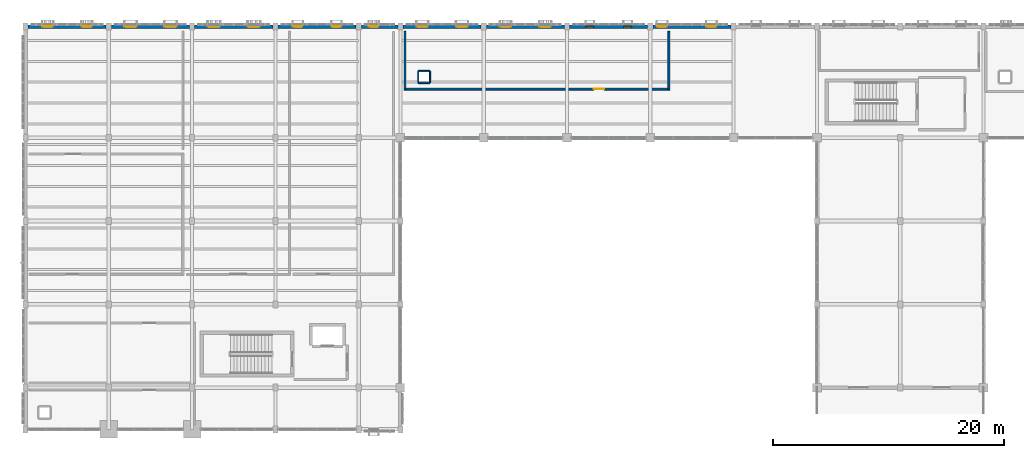
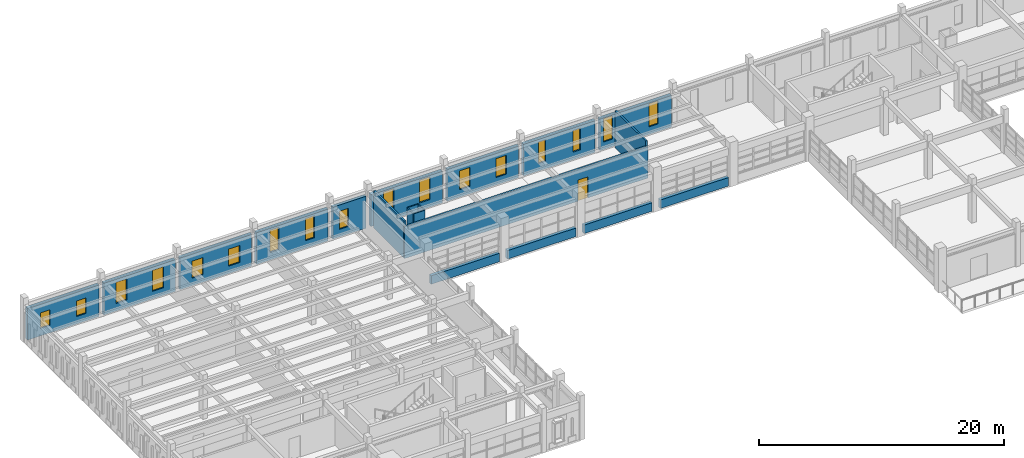
# One storey, part 45 of 69: 20 walls, 17 windows, 1 door, 18 openings.
"""IFC4 building model written with IfcOpenShell, lengths in metres."""

from ifc_helpers import new_model, si_unit, direction, frame, frame_2d, origin, place, context, subcontext, project, spatial, rectangle, extrude, material, layer, layer_set, type_object, element, fill, save


model = new_model("IFC4")

# Units and contexts
model_context = context("Model", 3, precision=1e-05, world=origin(), true_north=direction((0.0, 1.0)))
body_context = subcontext(model_context, "Body", "Model", "MODEL_VIEW")
ifc_project = project(units=[si_unit("LENGTHUNIT", "METRE"), si_unit("AREAUNIT", "SQUARE_METRE"), si_unit("VOLUMEUNIT", "CUBIC_METRE"), si_unit("PLANEANGLEUNIT", "RADIAN"), si_unit("MASSUNIT", "GRAM", prefix="KILO")], contexts=[model_context])

# Site, building, storey
site_placement = place(None, origin())
site = spatial("IfcSite", under=ifc_project, at=site_placement, CompositionType="ELEMENT")
building_placement = place(site_placement, origin())
building = spatial("IfcBuilding", under=site, at=building_placement, Name="Nzembalo Square Collegiate School", CompositionType="ELEMENT")
storey_placement = place(building_placement, frame((0.0, 0.0, 5.10009765625)))
storey = spatial("IfcBuildingStorey", under=building, at=storey_placement, Name="L01", CompositionType="ELEMENT", Elevation=5.10009765625)

# Wall, openings, windows
ifc_material_1 = material(Name="Concrete C35/45", Category="concrete")
ifc_layer_1 = layer(ifc_material_1, 0.320068359375, Name="Concrete C35/45")
ifc_layer_set_1 = layer_set([ifc_layer_1], Name="Concrete C35/45")
wall_type_1 = type_object("IfcWallType", Name="W03", PredefinedType="SOLIDWALL", material=ifc_layer_set_1)
wall_1_placement = place(storey_placement, frame((15.826904296875, 114.0, 0.0), z_axis=(0.0, 0.0, 1.0), x_axis=(1.0, 0.0, 0.0)))
wall_1 = element("IfcWall", 1, at=wall_1_placement, inside=storey, type_object=wall_type_1, Name="Exterior wall W03 L01", PredefinedType="SOLIDWALL", context=body_context, shape_type="SweptSolid", body=[
    extrude(rectangle(XDim=6.74609375, YDim=0.320068359375, at=frame_2d((3.373046875, 0.0))), origin(), (0.0, 0.0, 1.0), 3.183837890625),
])
opening_1_placement = place(wall_1_placement, frame((1.118896484375, 0.0, 0.75)))
opening_1 = element("IfcOpeningElement", 2, at=opening_1_placement, cuts=wall_1, Name="Opening WN-L01-233", PredefinedType="OPENING", context=body_context, shape_type="SweptSolid", body=[
    extrude(rectangle(XDim=1.050048828125, YDim=2.10009765625, at=frame_2d((0.52490234375, 1.050048828125))), frame((0.0, 0.169921875, 0.0), z_axis=(0.0, -1.0, 0.0), x_axis=(1.0, 0.0, 0.0)), (0.0, 0.0, 1.0), 0.340087890625),
])
opening_2_placement = place(wall_1_placement, frame((4.576904296875, 0.0, 0.75)))
opening_2 = element("IfcOpeningElement", 3, at=opening_2_placement, cuts=wall_1, Name="Opening WN-L01-234", PredefinedType="OPENING", context=body_context, shape_type="SweptSolid", body=[
    extrude(rectangle(XDim=1.050048828125, YDim=2.10009765625, at=frame_2d((0.52490234375, 1.050048828125))), frame((0.0, 0.169921875, 0.0), z_axis=(0.0, -1.0, 0.0), x_axis=(1.0, 0.0, 0.0)), (0.0, 0.0, 1.0), 0.340087890625),
])
ifc_material_2 = material(Name="Powder-coated aluminium and low-E double glazing", Category="aluminium")
window_type_1 = type_object("IfcWindowType", Name="WN12", PartitioningType="SINGLE_PANEL", PredefinedType="WINDOW", material=ifc_material_2)
window_1_placement = place(opening_1_placement, origin())
window_1 = element("IfcWindow", 4, at=window_1_placement, inside=storey, type_object=window_type_1, Name="Lancet window WN-L01-233", OverallHeight=2.10009765625, OverallWidth=1.050048828125, PartitioningType="SINGLE_PANEL", PredefinedType="WINDOW", context=body_context, shape_type="SweptSolid", body=[
    extrude(rectangle(XDim=1.050048828125, YDim=2.10009765625, at=frame_2d((0.52490234375, 1.050048828125))), frame((0.0, 0.030029296875, 0.0), z_axis=(0.0, -1.0, 0.0), x_axis=(1.0, 0.0, 0.0)), (0.0, 0.0, 1.0), 0.06005859375),
])
fill(opening_1, window_1)
window_2_placement = place(opening_2_placement, origin())
window_2 = element("IfcWindow", 5, at=window_2_placement, inside=storey, type_object=window_type_1, Name="Lancet window WN-L01-234", OverallHeight=2.10009765625, OverallWidth=1.050048828125, PartitioningType="SINGLE_PANEL", PredefinedType="WINDOW", context=body_context, shape_type="SweptSolid", body=[
    extrude(rectangle(XDim=1.050048828125, YDim=2.10009765625, at=frame_2d((0.52490234375, 1.050048828125))), frame((0.0, 0.030029296875, 0.0), z_axis=(0.0, -1.0, 0.0), x_axis=(1.0, 0.0, 0.0)), (0.0, 0.0, 1.0), 0.06005859375),
])
fill(opening_2, window_2)

wall_2_placement = place(storey_placement, frame((30.22705078125, 114.0, 0.0), z_axis=(0.0, 0.0, 1.0), x_axis=(1.0, 0.0, 0.0)))
wall_2 = element("IfcWall", 6, at=wall_2_placement, inside=storey, type_object=wall_type_1, Name="Exterior wall W03 L01", PredefinedType="SOLIDWALL", context=body_context, shape_type="SweptSolid", body=[
    extrude(rectangle(XDim=6.745849609375, YDim=0.320068359375, at=frame_2d((3.373046875, 0.0))), origin(), (0.0, 0.0, 1.0), 3.183837890625),
])
opening_3_placement = place(wall_2_placement, frame((1.29150390625, 0.0, 0.75)))
opening_3 = element("IfcOpeningElement", 7, at=opening_3_placement, cuts=wall_2, Name="Opening WN-L01-258", PredefinedType="OPENING", context=body_context, shape_type="SweptSolid", body=[
    extrude(rectangle(XDim=0.820068359375, YDim=2.219970703125, at=frame_2d((0.41015625, 1.10986328125))), frame((0.0, 0.169921875, 0.0), z_axis=(0.0, -1.0, 0.0), x_axis=(1.0, 0.0, 0.0)), (0.0, 0.0, 1.0), 0.340087890625),
])
opening_4_placement = place(wall_2_placement, frame((4.634521484375, 0.0, 0.75)))
opening_4 = element("IfcOpeningElement", 8, at=opening_4_placement, cuts=wall_2, Name="Opening WN-L01-259", PredefinedType="OPENING", context=body_context, shape_type="SweptSolid", body=[
    extrude(rectangle(XDim=0.820068359375, YDim=2.219970703125, at=frame_2d((0.41015625, 1.10986328125))), frame((0.0, 0.169921875, 0.0), z_axis=(0.0, -1.0, 0.0), x_axis=(1.0, 0.0, 0.0)), (0.0, 0.0, 1.0), 0.340087890625),
])
ifc_material_3 = material(Name="Powder-coated aluminium and low-E double glazing", Category="aluminium")
window_type_2 = type_object("IfcWindowType", Name="WN37", PartitioningType="SINGLE_PANEL", PredefinedType="WINDOW", material=ifc_material_3)
window_3_placement = place(opening_3_placement, origin())
window_3 = element("IfcWindow", 9, at=window_3_placement, inside=storey, type_object=window_type_2, Name="Lancet window WN-L01-258", OverallHeight=2.219970703125, OverallWidth=0.820068359375, PartitioningType="SINGLE_PANEL", PredefinedType="WINDOW", context=body_context, shape_type="SweptSolid", body=[
    extrude(rectangle(XDim=0.820068359375, YDim=2.219970703125, at=frame_2d((0.41015625, 1.10986328125))), frame((0.0, 0.030029296875, 0.0), z_axis=(0.0, -1.0, 0.0), x_axis=(1.0, 0.0, 0.0)), (0.0, 0.0, 1.0), 0.06005859375),
])
fill(opening_3, window_3)
window_4_placement = place(opening_4_placement, origin())
window_4 = element("IfcWindow", 10, at=window_4_placement, inside=storey, type_object=window_type_2, Name="Lancet window WN-L01-259", OverallHeight=2.219970703125, OverallWidth=0.820068359375, PartitioningType="SINGLE_PANEL", PredefinedType="WINDOW", context=body_context, shape_type="SweptSolid", body=[
    extrude(rectangle(XDim=0.820068359375, YDim=2.219970703125, at=frame_2d((0.41015625, 1.10986328125))), frame((0.0, 0.030029296875, 0.0), z_axis=(0.0, -1.0, 0.0), x_axis=(1.0, 0.0, 0.0)), (0.0, 0.0, 1.0), 0.06005859375),
])
fill(opening_4, window_4)

wall_3_placement = place(storey_placement, frame((41.027099609375, 114.0, 0.0), z_axis=(0.0, 0.0, 1.0), x_axis=(1.0, 0.0, 0.0)))
wall_3 = element("IfcWall", 11, at=wall_3_placement, inside=storey, type_object=wall_type_1, Name="Exterior wall W03 L01", PredefinedType="SOLIDWALL", context=body_context, shape_type="SweptSolid", body=[
    extrude(rectangle(XDim=6.745849609375, YDim=0.320068359375, at=frame_2d((3.373046875, 0.0))), origin(), (0.0, 0.0, 1.0), 3.183837890625),
])
opening_5_placement = place(wall_3_placement, frame((1.17138671875, 0.0, 0.75)))
opening_5 = element("IfcOpeningElement", 12, at=opening_5_placement, cuts=wall_3, Name="Opening WN-L01-261", PredefinedType="OPENING", context=body_context, shape_type="SweptSolid", body=[
    extrude(rectangle(XDim=0.97998046875, YDim=2.280029296875, at=frame_2d((0.489990234375, 1.14013671875))), frame((0.0, 0.169921875, 0.0), z_axis=(0.0, -1.0, 0.0), x_axis=(1.0, 0.0, 0.0)), (0.0, 0.0, 1.0), 0.340087890625),
])
opening_6_placement = place(wall_3_placement, frame((4.594482421875, 0.0, 0.75)))
opening_6 = element("IfcOpeningElement", 13, at=opening_6_placement, cuts=wall_3, Name="Opening WN-L01-262", PredefinedType="OPENING", context=body_context, shape_type="SweptSolid", body=[
    extrude(rectangle(XDim=0.97998046875, YDim=2.280029296875, at=frame_2d((0.489990234375, 1.14013671875))), frame((0.0, 0.169921875, 0.0), z_axis=(0.0, -1.0, 0.0), x_axis=(1.0, 0.0, 0.0)), (0.0, 0.0, 1.0), 0.340087890625),
])
ifc_material_4 = material(Name="Powder-coated aluminium and low-E double glazing", Category="aluminium")
window_type_3 = type_object("IfcWindowType", Name="WN40", PartitioningType="SINGLE_PANEL", PredefinedType="WINDOW", material=ifc_material_4)
window_5_placement = place(opening_5_placement, origin())
window_5 = element("IfcWindow", 14, at=window_5_placement, inside=storey, type_object=window_type_3, Name="Lancet window WN-L01-261", OverallHeight=2.280029296875, OverallWidth=0.97998046875, PartitioningType="SINGLE_PANEL", PredefinedType="WINDOW", context=body_context, shape_type="SweptSolid", body=[
    extrude(rectangle(XDim=0.97998046875, YDim=2.280029296875, at=frame_2d((0.489990234375, 1.14013671875))), frame((0.0, 0.030029296875, 0.0), z_axis=(0.0, -1.0, 0.0), x_axis=(1.0, 0.0, 0.0)), (0.0, 0.0, 1.0), 0.06005859375),
])
fill(opening_5, window_5)
window_6_placement = place(opening_6_placement, origin())
window_6 = element("IfcWindow", 15, at=window_6_placement, inside=storey, type_object=window_type_3, Name="Lancet window WN-L01-262", OverallHeight=2.280029296875, OverallWidth=0.97998046875, PartitioningType="SINGLE_PANEL", PredefinedType="WINDOW", context=body_context, shape_type="SweptSolid", body=[
    extrude(rectangle(XDim=0.97998046875, YDim=2.280029296875, at=frame_2d((0.489990234375, 1.14013671875))), frame((0.0, 0.030029296875, 0.0), z_axis=(0.0, -1.0, 0.0), x_axis=(1.0, 0.0, 0.0)), (0.0, 0.0, 1.0), 0.06005859375),
])
fill(opening_6, window_6)

wall_4_placement = place(storey_placement, frame((55.427001953125, 114.0, 0.0), z_axis=(0.0, 0.0, 1.0), x_axis=(1.0, 0.0, 0.0)))
wall_4 = element("IfcWall", 16, at=wall_4_placement, inside=storey, type_object=wall_type_1, Name="Exterior wall W03 L01", PredefinedType="SOLIDWALL", context=body_context, shape_type="SweptSolid", body=[
    extrude(rectangle(XDim=6.74609375, YDim=0.320068359375, at=frame_2d((3.373046875, 0.0))), origin(), (0.0, 0.0, 1.0), 3.183837890625),
])
opening_7_placement = place(wall_4_placement, frame((1.396484375, 0.0, 0.75)))
opening_7 = element("IfcOpeningElement", 17, at=opening_7_placement, cuts=wall_4, Name="Opening WN-L01-280", PredefinedType="OPENING", context=body_context, shape_type="SweptSolid", body=[
    extrude(rectangle(XDim=0.679931640625, YDim=2.159912109375, at=frame_2d((0.33984375, 1.080078125))), frame((0.0, 0.169921875, 0.0), z_axis=(0.0, -1.0, 0.0), x_axis=(1.0, 0.0, 0.0)), (0.0, 0.0, 1.0), 0.340087890625),
])
opening_8_placement = place(wall_4_placement, frame((4.66943359375, 0.0, 0.75)))
opening_8 = element("IfcOpeningElement", 18, at=opening_8_placement, cuts=wall_4, Name="Opening WN-L01-281", PredefinedType="OPENING", context=body_context, shape_type="SweptSolid", body=[
    extrude(rectangle(XDim=0.679931640625, YDim=2.159912109375, at=frame_2d((0.33984375, 1.080078125))), frame((0.0, 0.169921875, 0.0), z_axis=(0.0, -1.0, 0.0), x_axis=(1.0, 0.0, 0.0)), (0.0, 0.0, 1.0), 0.340087890625),
])
ifc_material_5 = material(Name="Powder-coated aluminium and low-E double glazing", Category="aluminium")
window_type_4 = type_object("IfcWindowType", Name="WN59", PartitioningType="SINGLE_PANEL", PredefinedType="WINDOW", material=ifc_material_5)
window_7_placement = place(opening_7_placement, origin())
window_7 = element("IfcWindow", 19, at=window_7_placement, inside=storey, type_object=window_type_4, Name="Lancet window WN-L01-280", OverallHeight=2.159912109375, OverallWidth=0.679931640625, PartitioningType="SINGLE_PANEL", PredefinedType="WINDOW", context=body_context, shape_type="SweptSolid", body=[
    extrude(rectangle(XDim=0.679931640625, YDim=2.159912109375, at=frame_2d((0.33984375, 1.080078125))), frame((0.0, 0.030029296875, 0.0), z_axis=(0.0, -1.0, 0.0), x_axis=(1.0, 0.0, 0.0)), (0.0, 0.0, 1.0), 0.06005859375),
])
fill(opening_7, window_7)
window_8_placement = place(opening_8_placement, origin())
window_8 = element("IfcWindow", 20, at=window_8_placement, inside=storey, type_object=window_type_4, Name="Lancet window WN-L01-281", OverallHeight=2.159912109375, OverallWidth=0.679931640625, PartitioningType="SINGLE_PANEL", PredefinedType="WINDOW", context=body_context, shape_type="SweptSolid", body=[
    extrude(rectangle(XDim=0.679931640625, YDim=2.159912109375, at=frame_2d((0.33984375, 1.080078125))), frame((0.0, 0.030029296875, 0.0), z_axis=(0.0, -1.0, 0.0), x_axis=(1.0, 0.0, 0.0)), (0.0, 0.0, 1.0), 0.06005859375),
])
fill(opening_8, window_8)

# Walls
wall_5_placement = place(storey_placement, frame((48.376953125, 104.39990234375, 0.0), z_axis=(0.0, 0.0, 1.0), x_axis=(1.0, 0.0, 0.0)))
element("IfcWall", 21, at=wall_5_placement, inside=storey, type_object=wall_type_1, Name="Spandrel wall W03 L01", PredefinedType="SOLIDWALL", context=body_context, shape_type="SweptSolid", body=[
    extrude(rectangle(XDim=6.446044921875, YDim=0.320068359375, at=frame_2d((3.22314453125, 0.0))), origin(), (0.0, 0.0, 1.0), 0.849853515625),
])
wall_6_placement = place(storey_placement, frame((62.777099609375, 104.39990234375, 0.0), z_axis=(0.0, 0.0, 1.0), x_axis=(1.0, 0.0, 0.0)))
element("IfcWall", 22, at=wall_6_placement, inside=storey, type_object=wall_type_1, Name="Spandrel wall W03 L01", PredefinedType="SOLIDWALL", context=body_context, shape_type="SweptSolid", body=[
    extrude(rectangle(XDim=6.44580078125, YDim=0.320068359375, at=frame_2d((3.222900390625, 0.0))), origin(), (0.0, 0.0, 1.0), 0.849853515625),
])

# Wall, openings, windows
ifc_material_6 = material(Name="Concrete C35/45", Category="concrete")
ifc_layer_2 = layer(ifc_material_6, 0.300048828125, Name="Concrete C35/45")
ifc_layer_set_2 = layer_set([ifc_layer_2], Name="Concrete C35/45")
wall_type_2 = type_object("IfcWallType", Name="W04", PredefinedType="SOLIDWALL", material=ifc_layer_set_2)
wall_7_placement = place(storey_placement, frame((8.626953125, 114.0, 0.0), z_axis=(0.0, 0.0, 1.0), x_axis=(1.0, 0.0, 0.0)))
wall_7 = element("IfcWall", 23, at=wall_7_placement, inside=storey, type_object=wall_type_2, Name="Exterior wall W04 L01", PredefinedType="SOLIDWALL", context=body_context, shape_type="SweptSolid", body=[
    extrude(rectangle(XDim=6.74609375, YDim=0.300048828125, at=frame_2d((3.373046875, 0.0))), origin(), (0.0, 0.0, 1.0), 3.183837890625),
])
opening_9_placement = place(wall_7_placement, frame((1.2314453125, 0.0, 0.75)))
opening_9 = element("IfcOpeningElement", 24, at=opening_9_placement, cuts=wall_7, Name="Opening WN-L01-231", PredefinedType="OPENING", context=body_context, shape_type="SweptSolid", body=[
    extrude(rectangle(XDim=0.89990234375, YDim=1.550048828125, at=frame_2d((0.449951171875, 0.77490234375))), frame((0.0, 0.16015625, 0.0), z_axis=(0.0, -1.0, 0.0), x_axis=(1.0, 0.0, 0.0)), (0.0, 0.0, 1.0), 0.320068359375),
])
opening_10_placement = place(wall_7_placement, frame((4.614501953125, 0.0, 0.75)))
opening_10 = element("IfcOpeningElement", 25, at=opening_10_placement, cuts=wall_7, Name="Opening WN-L01-232", PredefinedType="OPENING", context=body_context, shape_type="SweptSolid", body=[
    extrude(rectangle(XDim=0.89990234375, YDim=1.550048828125, at=frame_2d((0.449951171875, 0.77490234375))), frame((0.0, 0.16015625, 0.0), z_axis=(0.0, -1.0, 0.0), x_axis=(1.0, 0.0, 0.0)), (0.0, 0.0, 1.0), 0.320068359375),
])
ifc_material_7 = material(Name="Powder-coated aluminium and low-E double glazing", Category="aluminium")
window_type_5 = type_object("IfcWindowType", Name="WN10", PartitioningType="SINGLE_PANEL", PredefinedType="WINDOW", material=ifc_material_7)
window_9_placement = place(opening_9_placement, origin())
window_9 = element("IfcWindow", 26, at=window_9_placement, inside=storey, type_object=window_type_5, Name="Lancet window WN-L01-231", OverallHeight=1.550048828125, OverallWidth=0.89990234375, PartitioningType="SINGLE_PANEL", PredefinedType="WINDOW", context=body_context, shape_type="SweptSolid", body=[
    extrude(rectangle(XDim=0.89990234375, YDim=1.550048828125, at=frame_2d((0.449951171875, 0.77490234375))), frame((0.0, 0.030029296875, 0.0), z_axis=(0.0, -1.0, 0.0), x_axis=(1.0, 0.0, 0.0)), (0.0, 0.0, 1.0), 0.06005859375),
])
fill(opening_9, window_9)
window_10_placement = place(opening_10_placement, origin())
window_10 = element("IfcWindow", 27, at=window_10_placement, inside=storey, type_object=window_type_5, Name="Lancet window WN-L01-232", OverallHeight=1.550048828125, OverallWidth=0.89990234375, PartitioningType="SINGLE_PANEL", PredefinedType="WINDOW", context=body_context, shape_type="SweptSolid", body=[
    extrude(rectangle(XDim=0.89990234375, YDim=1.550048828125, at=frame_2d((0.449951171875, 0.77490234375))), frame((0.0, 0.030029296875, 0.0), z_axis=(0.0, -1.0, 0.0), x_axis=(1.0, 0.0, 0.0)), (0.0, 0.0, 1.0), 0.06005859375),
])
fill(opening_10, window_10)

wall_8_placement = place(storey_placement, frame((23.027099609375, 114.0, 0.0), z_axis=(0.0, 0.0, 1.0), x_axis=(1.0, 0.0, 0.0)))
wall_8 = element("IfcWall", 28, at=wall_8_placement, inside=storey, type_object=wall_type_2, Name="Exterior wall W04 L01", PredefinedType="SOLIDWALL", context=body_context, shape_type="SweptSolid", body=[
    extrude(rectangle(XDim=6.745849609375, YDim=0.300048828125, at=frame_2d((3.373046875, 0.0))), origin(), (0.0, 0.0, 1.0), 3.183837890625),
])
opening_11_placement = place(wall_8_placement, frame((1.118896484375, 0.0, 0.75)))
opening_11 = element("IfcOpeningElement", 29, at=opening_11_placement, cuts=wall_8, Name="Opening WN-L01-235", PredefinedType="OPENING", context=body_context, shape_type="SweptSolid", body=[
    extrude(rectangle(XDim=1.050048828125, YDim=1.699951171875, at=frame_2d((0.52490234375, 0.85009765625))), frame((0.0, 0.16015625, 0.0), z_axis=(0.0, -1.0, 0.0), x_axis=(1.0, 0.0, 0.0)), (0.0, 0.0, 1.0), 0.320068359375),
])
opening_12_placement = place(wall_8_placement, frame((4.576904296875, 0.0, 0.75)))
opening_12 = element("IfcOpeningElement", 30, at=opening_12_placement, cuts=wall_8, Name="Opening WN-L01-236", PredefinedType="OPENING", context=body_context, shape_type="SweptSolid", body=[
    extrude(rectangle(XDim=1.050048828125, YDim=1.699951171875, at=frame_2d((0.52490234375, 0.85009765625))), frame((0.0, 0.16015625, 0.0), z_axis=(0.0, -1.0, 0.0), x_axis=(1.0, 0.0, 0.0)), (0.0, 0.0, 1.0), 0.320068359375),
])
ifc_material_8 = material(Name="Powder-coated aluminium and low-E double glazing", Category="aluminium")
window_type_6 = type_object("IfcWindowType", Name="WN14", PartitioningType="SINGLE_PANEL", PredefinedType="WINDOW", material=ifc_material_8)
window_11_placement = place(opening_11_placement, origin())
window_11 = element("IfcWindow", 31, at=window_11_placement, inside=storey, type_object=window_type_6, Name="Lancet window WN-L01-235", OverallHeight=1.699951171875, OverallWidth=1.050048828125, PartitioningType="SINGLE_PANEL", PredefinedType="WINDOW", context=body_context, shape_type="SweptSolid", body=[
    extrude(rectangle(XDim=1.050048828125, YDim=1.699951171875, at=frame_2d((0.52490234375, 0.85009765625))), frame((0.0, 0.030029296875, 0.0), z_axis=(0.0, -1.0, 0.0), x_axis=(1.0, 0.0, 0.0)), (0.0, 0.0, 1.0), 0.06005859375),
])
fill(opening_11, window_11)
window_12_placement = place(opening_12_placement, origin())
window_12 = element("IfcWindow", 32, at=window_12_placement, inside=storey, type_object=window_type_6, Name="Lancet window WN-L01-236", OverallHeight=1.699951171875, OverallWidth=1.050048828125, PartitioningType="SINGLE_PANEL", PredefinedType="WINDOW", context=body_context, shape_type="SweptSolid", body=[
    extrude(rectangle(XDim=1.050048828125, YDim=1.699951171875, at=frame_2d((0.52490234375, 0.85009765625))), frame((0.0, 0.030029296875, 0.0), z_axis=(0.0, -1.0, 0.0), x_axis=(1.0, 0.0, 0.0)), (0.0, 0.0, 1.0), 0.06005859375),
])
fill(opening_12, window_12)

# Wall, opening, window
wall_9_placement = place(storey_placement, frame((37.427001953125, 114.0, 0.0), z_axis=(0.0, 0.0, 1.0), x_axis=(1.0, 0.0, 0.0)))
wall_9 = element("IfcWall", 33, at=wall_9_placement, inside=storey, type_object=wall_type_2, Name="Exterior wall W04 L01", PredefinedType="SOLIDWALL", context=body_context, shape_type="SweptSolid", body=[
    extrude(rectangle(XDim=3.14599609375, YDim=0.300048828125, at=frame_2d((1.572998046875, 0.0))), origin(), (0.0, 0.0, 1.0), 3.183837890625),
])
opening_13_placement = place(wall_9_placement, frame((0.648681640625, 0.0, 0.75)))
opening_13 = element("IfcOpeningElement", 34, at=opening_13_placement, cuts=wall_9, Name="Opening WN-L01-260", PredefinedType="OPENING", context=body_context, shape_type="SweptSolid", body=[
    extrude(rectangle(XDim=0.820068359375, YDim=1.820068359375, at=frame_2d((0.41015625, 0.91015625))), frame((0.0, 0.16015625, 0.0), z_axis=(0.0, -1.0, 0.0), x_axis=(1.0, 0.0, 0.0)), (0.0, 0.0, 1.0), 0.320068359375),
])
ifc_material_9 = material(Name="Powder-coated aluminium and low-E double glazing", Category="aluminium")
window_type_7 = type_object("IfcWindowType", Name="WN39", PartitioningType="SINGLE_PANEL", PredefinedType="WINDOW", material=ifc_material_9)
window_13_placement = place(opening_13_placement, origin())
window_13 = element("IfcWindow", 35, at=window_13_placement, inside=storey, type_object=window_type_7, Name="Lancet window WN-L01-260", OverallHeight=1.820068359375, OverallWidth=0.820068359375, PartitioningType="SINGLE_PANEL", PredefinedType="WINDOW", context=body_context, shape_type="SweptSolid", body=[
    extrude(rectangle(XDim=0.820068359375, YDim=1.820068359375, at=frame_2d((0.41015625, 0.91015625))), frame((0.0, 0.030029296875, 0.0), z_axis=(0.0, -1.0, 0.0), x_axis=(1.0, 0.0, 0.0)), (0.0, 0.0, 1.0), 0.06005859375),
])
fill(opening_13, window_13)

# Wall, openings, windows
wall_10_placement = place(storey_placement, frame((48.22705078125, 114.0, 0.0), z_axis=(0.0, 0.0, 1.0), x_axis=(1.0, 0.0, 0.0)))
wall_10 = element("IfcWall", 36, at=wall_10_placement, inside=storey, type_object=wall_type_2, Name="Exterior wall W04 L01", PredefinedType="SOLIDWALL", context=body_context, shape_type="SweptSolid", body=[
    extrude(rectangle(XDim=6.745849609375, YDim=0.300048828125, at=frame_2d((3.373046875, 0.0))), origin(), (0.0, 0.0, 1.0), 3.183837890625),
])
opening_14_placement = place(wall_10_placement, frame((1.17138671875, 0.0, 0.75)))
opening_14 = element("IfcOpeningElement", 37, at=opening_14_placement, cuts=wall_10, Name="Opening WN-L01-263", PredefinedType="OPENING", context=body_context, shape_type="SweptSolid", body=[
    extrude(rectangle(XDim=0.97998046875, YDim=1.8798828125, at=frame_2d((0.489990234375, 0.93994140625))), frame((0.0, 0.16015625, 0.0), z_axis=(0.0, -1.0, 0.0), x_axis=(1.0, 0.0, 0.0)), (0.0, 0.0, 1.0), 0.320068359375),
])
opening_15_placement = place(wall_10_placement, frame((4.594482421875, 0.0, 0.75)))
opening_15 = element("IfcOpeningElement", 38, at=opening_15_placement, cuts=wall_10, Name="Opening WN-L01-264", PredefinedType="OPENING", context=body_context, shape_type="SweptSolid", body=[
    extrude(rectangle(XDim=0.97998046875, YDim=1.8798828125, at=frame_2d((0.489990234375, 0.93994140625))), frame((0.0, 0.16015625, 0.0), z_axis=(0.0, -1.0, 0.0), x_axis=(1.0, 0.0, 0.0)), (0.0, 0.0, 1.0), 0.320068359375),
])
ifc_material_10 = material(Name="Powder-coated aluminium and low-E double glazing", Category="aluminium")
window_type_8 = type_object("IfcWindowType", Name="WN42", PartitioningType="SINGLE_PANEL", PredefinedType="WINDOW", material=ifc_material_10)
window_14_placement = place(opening_14_placement, origin())
window_14 = element("IfcWindow", 39, at=window_14_placement, inside=storey, type_object=window_type_8, Name="Lancet window WN-L01-263", OverallHeight=1.8798828125, OverallWidth=0.97998046875, PartitioningType="SINGLE_PANEL", PredefinedType="WINDOW", context=body_context, shape_type="SweptSolid", body=[
    extrude(rectangle(XDim=0.97998046875, YDim=1.8798828125, at=frame_2d((0.489990234375, 0.93994140625))), frame((0.0, 0.030029296875, 0.0), z_axis=(0.0, -1.0, 0.0), x_axis=(1.0, 0.0, 0.0)), (0.0, 0.0, 1.0), 0.06005859375),
])
fill(opening_14, window_14)
window_15_placement = place(opening_15_placement, origin())
window_15 = element("IfcWindow", 40, at=window_15_placement, inside=storey, type_object=window_type_8, Name="Lancet window WN-L01-264", OverallHeight=1.8798828125, OverallWidth=0.97998046875, PartitioningType="SINGLE_PANEL", PredefinedType="WINDOW", context=body_context, shape_type="SweptSolid", body=[
    extrude(rectangle(XDim=0.97998046875, YDim=1.8798828125, at=frame_2d((0.489990234375, 0.93994140625))), frame((0.0, 0.030029296875, 0.0), z_axis=(0.0, -1.0, 0.0), x_axis=(1.0, 0.0, 0.0)), (0.0, 0.0, 1.0), 0.06005859375),
])
fill(opening_15, window_15)

wall_11_placement = place(storey_placement, frame((62.626953125, 114.0, 0.0), z_axis=(0.0, 0.0, 1.0), x_axis=(1.0, 0.0, 0.0)))
wall_11 = element("IfcWall", 41, at=wall_11_placement, inside=storey, type_object=wall_type_2, Name="Exterior wall W04 L01", PredefinedType="SOLIDWALL", context=body_context, shape_type="SweptSolid", body=[
    extrude(rectangle(XDim=6.74609375, YDim=0.300048828125, at=frame_2d((3.373046875, 0.0))), origin(), (0.0, 0.0, 1.0), 3.183837890625),
])
opening_16_placement = place(wall_11_placement, frame((0.35302734375, 0.0, 0.75)))
opening_16 = element("IfcOpeningElement", 42, at=opening_16_placement, cuts=wall_11, Name="Opening WN-L01-282", PredefinedType="OPENING", context=body_context, shape_type="SweptSolid", body=[
    extrude(rectangle(XDim=0.860107421875, YDim=2.320068359375, at=frame_2d((0.43017578125, 1.16015625))), frame((0.0, 0.16015625, 0.0), z_axis=(0.0, -1.0, 0.0), x_axis=(1.0, 0.0, 0.0)), (0.0, 0.0, 1.0), 0.320068359375),
])
opening_17_placement = place(wall_11_placement, frame((4.62451171875, 0.0, 0.75)))
opening_17 = element("IfcOpeningElement", 43, at=opening_17_placement, cuts=wall_11, Name="Opening WN-L01-283", PredefinedType="OPENING", context=body_context, shape_type="SweptSolid", body=[
    extrude(rectangle(XDim=0.860107421875, YDim=2.320068359375, at=frame_2d((0.43017578125, 1.16015625))), frame((0.0, 0.16015625, 0.0), z_axis=(0.0, -1.0, 0.0), x_axis=(1.0, 0.0, 0.0)), (0.0, 0.0, 1.0), 0.320068359375),
])
ifc_material_11 = material(Name="Powder-coated aluminium and low-E double glazing", Category="aluminium")
window_type_9 = type_object("IfcWindowType", Name="WN61", PartitioningType="SINGLE_PANEL", PredefinedType="WINDOW", material=ifc_material_11)
window_16_placement = place(opening_16_placement, origin())
window_16 = element("IfcWindow", 44, at=window_16_placement, inside=storey, type_object=window_type_9, Name="Lancet window WN-L01-282", OverallHeight=2.320068359375, OverallWidth=0.860107421875, PartitioningType="SINGLE_PANEL", PredefinedType="WINDOW", context=body_context, shape_type="SweptSolid", body=[
    extrude(rectangle(XDim=0.860107421875, YDim=2.320068359375, at=frame_2d((0.43017578125, 1.16015625))), frame((0.0, 0.030029296875, 0.0), z_axis=(0.0, -1.0, 0.0), x_axis=(1.0, 0.0, 0.0)), (0.0, 0.0, 1.0), 0.06005859375),
])
fill(opening_16, window_16)
window_17_placement = place(opening_17_placement, origin())
window_17 = element("IfcWindow", 45, at=window_17_placement, inside=storey, type_object=window_type_9, Name="Lancet window WN-L01-283", OverallHeight=2.320068359375, OverallWidth=0.860107421875, PartitioningType="SINGLE_PANEL", PredefinedType="WINDOW", context=body_context, shape_type="SweptSolid", body=[
    extrude(rectangle(XDim=0.860107421875, YDim=2.320068359375, at=frame_2d((0.43017578125, 1.16015625))), frame((0.0, 0.030029296875, 0.0), z_axis=(0.0, -1.0, 0.0), x_axis=(1.0, 0.0, 0.0)), (0.0, 0.0, 1.0), 0.06005859375),
])
fill(opening_17, window_17)

# Walls
for number, where, z_axis, x_axis, name in (
    (46, (41.177001953125, 104.39990234375, 0.0), (0.0, 0.0, 1.0), (1.0, 0.0, 0.0), "Spandrel wall W04 L01"),
    (47, (55.576904296875, 104.39990234375, 0.0), (0.0, 0.0, 1.0), (1.0, 0.0, 0.0), "Spandrel wall W04 L01"),
):
    element("IfcWall", number, at=place(storey_placement, frame(where, z_axis=z_axis, x_axis=x_axis)), inside=storey, type_object=wall_type_2, Name=name, PredefinedType="SOLIDWALL", context=body_context, shape_type="SweptSolid", body=[
        extrude(rectangle(XDim=6.446044921875, YDim=0.300048828125, at=frame_2d((3.22314453125, 0.0))), origin(), (0.0, 0.0, 1.0), 0.849853515625),
    ])

# Wall, opening, door
ifc_material_12 = material(Name="Moisture-resistant acoustic stud")
ifc_layer_3 = layer(ifc_material_12, 0.1650390625, Name="Moisture-resistant acoustic stud")
ifc_layer_set_3 = layer_set([ifc_layer_3], Name="Moisture-resistant acoustic stud")
wall_type_3 = type_object("IfcWallType", Name="W15", PredefinedType="PARTITIONING", material=ifc_layer_set_3)
wall_12_placement = place(storey_placement, frame((41.117431640625, 108.60009765625, 0.0), z_axis=(0.0, 0.0, 1.0), x_axis=(1.0, 0.0, 0.0)))
wall_12 = element("IfcWall", 48, at=wall_12_placement, inside=storey, type_object=wall_type_3, Name="Interior partition W15 L01-028-S", PredefinedType="PARTITIONING", context=body_context, shape_type="SweptSolid", body=[
    extrude(rectangle(XDim=22.965087890625, YDim=0.1650390625, at=frame_2d((11.482421875, 0.0))), origin(), (0.0, 0.0, 1.0), 3.183837890625),
])
opening_18_placement = place(wall_12_placement, frame((16.37744140625, 0.0, 0.0)))
opening_18 = element("IfcOpeningElement", 49, at=opening_18_placement, cuts=wall_12, Name="Opening D-L01-042", PredefinedType="OPENING", context=body_context, shape_type="SweptSolid", body=[
    extrude(rectangle(XDim=0.93994140625, YDim=2.10009765625, at=frame_2d((0.469970703125, 1.050048828125))), frame((0.0, 0.092529296875, 0.0), z_axis=(0.0, -1.0, 0.0), x_axis=(1.0, 0.0, 0.0)), (0.0, 0.0, 1.0), 0.18505859375),
])
ifc_material_13 = material(Name="Hardwood office door", Category="wood")
door_type = type_object("IfcDoorType", Name="D07", OperationType="NOTDEFINED", PredefinedType="DOOR", material=ifc_material_13)
door_placement = place(opening_18_placement, origin())
door = element("IfcDoor", 50, at=door_placement, inside=storey, type_object=door_type, Name="Interior door D-L01-042 (Student Leadership Seminar Suite)", OperationType="SINGLE_SWING_RIGHT", OverallHeight=2.10009765625, OverallWidth=0.93994140625, PredefinedType="DOOR", context=body_context, shape_type="SweptSolid", body=[
    extrude(rectangle(XDim=0.93994140625, YDim=2.10009765625, at=frame_2d((0.469970703125, 1.050048828125))), frame((0.0, 0.02490234375, 0.0), z_axis=(0.0, -1.0, 0.0), x_axis=(1.0, 0.0, 0.0)), (0.0, 0.0, 1.0), 0.050048828125),
])
fill(opening_18, door)

# Walls
for number, where, z_axis, x_axis, name in (
    (51, (41.199951171875, 108.60009765625, 0.0), (0.0, 0.0, 1.0), (0.0, 1.0, 0.0), "Interior partition W15 L01-028-W"),
    (52, (64.0, 108.60009765625, 0.0), (0.0, 0.0, 1.0), (0.0, 1.0, 0.0), "Interior partition W15 L01-028-E"),
):
    element("IfcWall", number, at=place(storey_placement, frame(where, z_axis=z_axis, x_axis=x_axis)), inside=storey, type_object=wall_type_3, Name=name, PredefinedType="PARTITIONING", context=body_context, shape_type="SweptSolid", body=[
        extrude(rectangle(XDim=5.0, YDim=0.1650390625, at=frame_2d((2.5, 0.0))), origin(), (0.0, 0.0, 1.0), 3.69384765625),
    ])
ifc_material_14 = material(Name="Fire-rated shaftwall stud")
ifc_layer_4 = layer(ifc_material_14, 0.1201171875, Name="Fire-rated shaftwall stud")
ifc_layer_set_4 = layer_set([ifc_layer_4], Name="Fire-rated shaftwall stud")
wall_type_4 = type_object("IfcWallType", Name="W23", PredefinedType="PARTITIONING", material=ifc_layer_set_4)
for number, where, z_axis, x_axis, name in (
    (53, (42.340087890625, 109.139892578125, 0.0), (0.0, 0.0, 1.0), (1.0, 0.0, 0.0), "Service riser shaftwall W23-011-1"),
    (54, (43.360107421875, 109.139892578125, 0.0), (0.0, 0.0, 1.0), (0.0, 1.0, 0.0), "Service riser shaftwall W23-011-2"),
    (55, (43.360107421875, 110.159912109375, 0.0), (0.0, 0.0, 1.0), (-1.0, 0.0, 0.0), "Service riser shaftwall W23-011-3"),
    (56, (42.340087890625, 110.159912109375, 0.0), (0.0, 0.0, 1.0), (0.0, -1.0, 0.0), "Service riser shaftwall W23-011-4"),
):
    element("IfcWall", number, at=place(storey_placement, frame(where, z_axis=z_axis, x_axis=x_axis)), inside=storey, type_object=wall_type_4, Name=name, PredefinedType="PARTITIONING", context=body_context, shape_type="SweptSolid", body=[
        extrude(rectangle(XDim=1.02001953125, YDim=0.1201171875, at=frame_2d((0.510009765625, 0.0))), origin(), (0.0, 0.0, 1.0), 3.69384765625),
    ])

save(model, "model.ifc")
